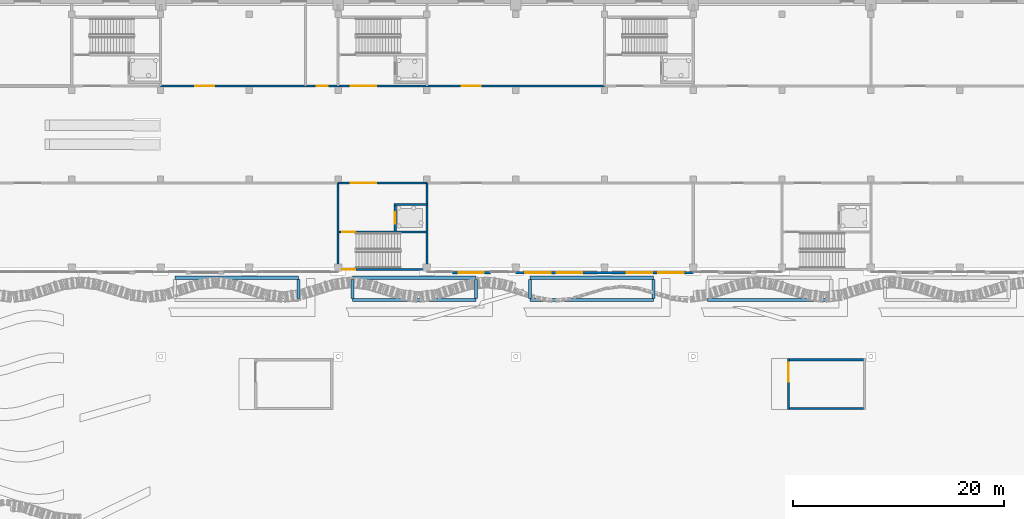
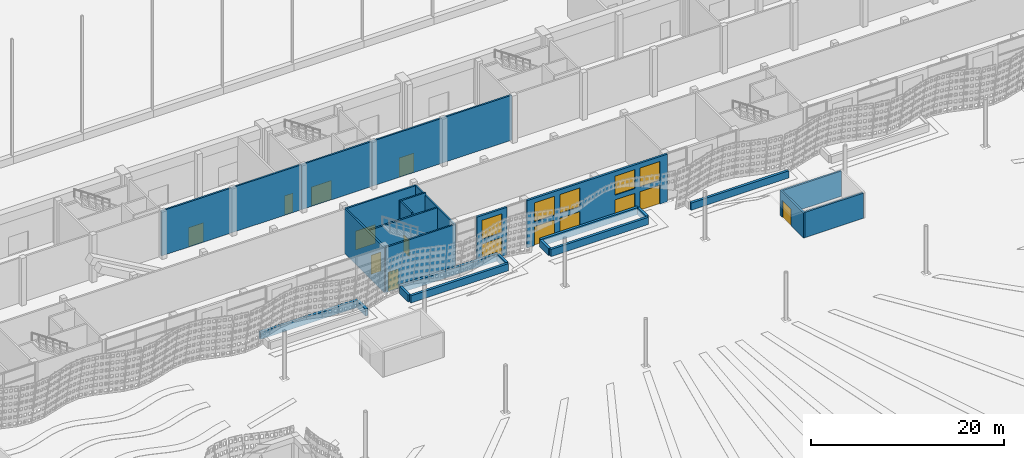
# One storey, part 105 of 210: 26 walls, 14 doors, 5 windows, 19 openings.
"""IFC4 building model written with IfcOpenShell, lengths in metres."""

from ifc_helpers import new_model, si_unit, direction, frame, frame_2d, origin, place, context, subcontext, project, spatial, rectangle, extrude, material, layer, layer_set, type_object, element, fill, save


model = new_model("IFC4")

# Units and contexts
model_context = context("Model", 3, precision=1e-05, world=origin(), true_north=direction((0.0, 1.0)))
body_context = subcontext(model_context, "Body", "Model", "MODEL_VIEW")
ifc_project = project(units=[si_unit("LENGTHUNIT", "METRE"), si_unit("AREAUNIT", "SQUARE_METRE"), si_unit("VOLUMEUNIT", "CUBIC_METRE"), si_unit("PLANEANGLEUNIT", "RADIAN"), si_unit("MASSUNIT", "GRAM", prefix="KILO")], contexts=[model_context])

# Site, building, storey
site_placement = place(None, origin())
site = spatial("IfcSite", under=ifc_project, at=site_placement, CompositionType="ELEMENT")
building_placement = place(site_placement, origin())
building = spatial("IfcBuilding", under=site, at=building_placement, Name="Rain Tree Exposition and Congress Centre", CompositionType="ELEMENT")
storey_placement = place(building_placement, origin())
storey = spatial("IfcBuildingStorey", under=building, at=storey_placement, Name="L00", CompositionType="ELEMENT", Elevation=0.0)

# Wall, openings, doors
ifc_material_1 = material(Name="Hollow blockwork partition", Category="masonry")
ifc_layer_1 = layer(ifc_material_1, 0.199951171875)
ifc_layer_set_1 = layer_set([ifc_layer_1], Name="Hollow blockwork partition")
wall_type_1 = type_object("IfcWallType", Name="Concourse blockwork partition 200", PredefinedType="PARTITIONING", material=ifc_layer_set_1)
wall_1_placement = place(storey_placement, frame((58.800048828125, 92.800048828125, 0.0), z_axis=(0.0, 0.0, 1.0), x_axis=(1.0, 0.0, 0.0)))
wall_1 = element("IfcWall", 1, at=wall_1_placement, inside=storey, type_object=wall_type_1, Name="Concourse room front L00", PredefinedType="PARTITIONING", context=body_context, shape_type="SweptSolid", body=[
    extrude(rectangle(XDim=16.800048828125, YDim=0.199951171875, at=frame_2d((8.39990234375, 0.0))), origin(), (0.0, 0.0, 1.0), 5.699951171875),
])
opening_1_placement = place(wall_1_placement, frame((3.300048828125, 0.0, 0.0)))
opening_1 = element("IfcOpeningElement", 2, at=opening_1_placement, cuts=wall_1, Name="Opening DC059", PredefinedType="OPENING", context=body_context, shape_type="SweptSolid", body=[
    extrude(rectangle(XDim=1.800048828125, YDim=2.39990234375, at=frame_2d((0.89990234375, 1.199951171875))), frame((0.0, 0.10009765625, 0.0), z_axis=(0.0, -1.0, 0.0), x_axis=(1.0, 0.0, 0.0)), (0.0, 0.0, 1.0), 0.199951171875),
])
opening_2_placement = place(wall_1_placement, frame((14.800048828125, 0.0, 0.0)))
opening_2 = element("IfcOpeningElement", 3, at=opening_2_placement, cuts=wall_1, Name="Opening DC060", PredefinedType="OPENING", context=body_context, shape_type="SweptSolid", body=[
    extrude(rectangle(XDim=1.0, YDim=2.39990234375, at=frame_2d((0.5, 1.199951171875))), frame((0.0, 0.10009765625, 0.0), z_axis=(0.0, -1.0, 0.0), x_axis=(1.0, 0.0, 0.0)), (0.0, 0.0, 1.0), 0.199951171875),
])
ifc_material_2 = material(Name="Aluminium framed glazed door", Category="aluminium")
door_type_1 = type_object("IfcDoorType", Name="Concourse double door 1800x2400", OperationType="DOUBLE_DOOR_DOUBLE_SWING", PredefinedType="DOOR", material=ifc_material_2)
door_1_placement = place(opening_1_placement, origin())
door_1 = element("IfcDoor", 4, at=door_1_placement, inside=storey, type_object=door_type_1, Name="Room door DC059", OperationType="DOUBLE_DOOR_DOUBLE_SWING", OverallHeight=2.39990234375, OverallWidth=1.800048828125, PredefinedType="DOOR", context=body_context, shape_type="SweptSolid", body=[
    extrude(rectangle(XDim=1.800048828125, YDim=2.39990234375, at=frame_2d((0.89990234375, 1.199951171875))), frame((0.0, 0.02490234375, 0.0), z_axis=(0.0, -1.0, 0.0), x_axis=(1.0, 0.0, 0.0)), (0.0, 0.0, 1.0), 0.050048828125),
])
fill(opening_1, door_1)
ifc_material_3 = material(Name="Aluminium framed glazed door", Category="aluminium")
door_type_2 = type_object("IfcDoorType", Name="Concourse single door 1000x2400", OperationType="NOTDEFINED", PredefinedType="DOOR", material=ifc_material_3)
door_2_placement = place(opening_2_placement, origin())
door_2 = element("IfcDoor", 5, at=door_2_placement, inside=storey, type_object=door_type_2, Name="Accessible WC door DC060", OperationType="SINGLE_SWING_RIGHT", OverallHeight=2.39990234375, OverallWidth=1.0, PredefinedType="DOOR", context=body_context, shape_type="SweptSolid", body=[
    extrude(rectangle(XDim=1.0, YDim=2.39990234375, at=frame_2d((0.5, 1.199951171875))), frame((0.0, 0.02490234375, 0.0), z_axis=(0.0, -1.0, 0.0), x_axis=(1.0, 0.0, 0.0)), (0.0, 0.0, 1.0), 0.050048828125),
])
fill(opening_2, door_2)

# Wall, opening, door
wall_2_placement = place(storey_placement, frame((84.0, 92.800048828125, 0.0), z_axis=(0.0, 0.0, 1.0), x_axis=(1.0, 0.0, 0.0)))
wall_2 = element("IfcWall", 6, at=wall_2_placement, inside=storey, type_object=wall_type_1, Name="Concourse room front L00", PredefinedType="PARTITIONING", context=body_context, shape_type="SweptSolid", body=[
    extrude(rectangle(XDim=16.800048828125, YDim=0.199951171875, at=frame_2d((8.39990234375, 0.0))), origin(), (0.0, 0.0, 1.0), 5.699951171875),
])
opening_3_placement = place(wall_2_placement, frame((3.300048828125, 0.0, 0.0)))
opening_3 = element("IfcOpeningElement", 7, at=opening_3_placement, cuts=wall_2, Name="Opening DC061", PredefinedType="OPENING", context=body_context, shape_type="SweptSolid", body=[
    extrude(rectangle(XDim=1.800048828125, YDim=2.39990234375, at=frame_2d((0.89990234375, 1.199951171875))), frame((0.0, 0.10009765625, 0.0), z_axis=(0.0, -1.0, 0.0), x_axis=(1.0, 0.0, 0.0)), (0.0, 0.0, 1.0), 0.199951171875),
])
door_3_placement = place(opening_3_placement, origin())
door_3 = element("IfcDoor", 8, at=door_3_placement, inside=storey, type_object=door_type_1, Name="Room door DC061", OperationType="DOUBLE_DOOR_DOUBLE_SWING", OverallHeight=2.39990234375, OverallWidth=1.800048828125, PredefinedType="DOOR", context=body_context, shape_type="SweptSolid", body=[
    extrude(rectangle(XDim=1.800048828125, YDim=2.39990234375, at=frame_2d((0.89990234375, 1.199951171875))), frame((0.0, 0.02490234375, 0.0), z_axis=(0.0, -1.0, 0.0), x_axis=(1.0, 0.0, 0.0)), (0.0, 0.0, 1.0), 0.050048828125),
])
fill(opening_3, door_3)

# Wall, openings, door, window
ifc_material_4 = material(Name="Concrete C40/50", Category="concrete")
ifc_layer_2 = layer(ifc_material_4, 0.25)
ifc_layer_set_2 = layer_set([ifc_layer_2], Name="Concrete C40/50")
wall_type_2 = type_object("IfcWallType", Name="Concourse entrance infill wall 250", PredefinedType="SOLIDWALL", material=ifc_layer_set_2)
wall_3_placement = place(storey_placement, frame((86.39990234375, 75.125, 0.0), z_axis=(0.0, 0.0, 1.0), x_axis=(1.0, 0.0, 0.0)))
wall_3 = element("IfcWall", 9, at=wall_3_placement, inside=storey, type_object=wall_type_2, Name="Concourse entrance infill wall", PredefinedType="SOLIDWALL", context=body_context, shape_type="SweptSolid", body=[
    extrude(rectangle(XDim=3.60009765625, YDim=0.25, at=frame_2d((1.800048828125, 0.0))), origin(), (0.0, 0.0, 1.0), 6.0),
])
opening_4_placement = place(wall_3_placement, frame((0.60009765625, 0.0, 0.0)))
opening_4 = element("IfcOpeningElement", 10, at=opening_4_placement, cuts=wall_3, Name="Opening DC004", PredefinedType="OPENING", context=body_context, shape_type="SweptSolid", body=[
    extrude(rectangle(XDim=2.39990234375, YDim=2.39990234375, at=frame_2d((1.199951171875, 1.199951171875))), frame((0.0, 0.125, 0.0), z_axis=(0.0, -1.0, 0.0), x_axis=(1.0, 0.0, 0.0)), (0.0, 0.0, 1.0), 0.25),
])
opening_5_placement = place(wall_3_placement, frame((0.60009765625, 0.0, 3.0)))
opening_5 = element("IfcOpeningElement", 11, at=opening_5_placement, cuts=wall_3, Name="Opening WC864", PredefinedType="OPENING", context=body_context, shape_type="SweptSolid", body=[
    extrude(rectangle(XDim=2.39990234375, YDim=2.39990234375, at=frame_2d((1.199951171875, 1.199951171875))), frame((0.0, 0.125, 0.0), z_axis=(0.0, -1.0, 0.0), x_axis=(1.0, 0.0, 0.0)), (0.0, 0.0, 1.0), 0.25),
])
ifc_material_5 = material(Name="Aluminium framed glazed door", Category="aluminium")
door_type_3 = type_object("IfcDoorType", Name="Concourse double door 2400x2400", OperationType="DOUBLE_DOOR_DOUBLE_SWING", PredefinedType="DOOR", material=ifc_material_5)
door_4_placement = place(opening_4_placement, origin())
door_4 = element("IfcDoor", 12, at=door_4_placement, inside=storey, type_object=door_type_3, Name="Room entrance door DC004", OperationType="DOUBLE_DOOR_DOUBLE_SWING", OverallHeight=2.39990234375, OverallWidth=2.39990234375, PredefinedType="DOOR", context=body_context, shape_type="SweptSolid", body=[
    extrude(rectangle(XDim=2.39990234375, YDim=2.39990234375, at=frame_2d((1.199951171875, 1.199951171875))), frame((0.0, 0.02490234375, 0.0), z_axis=(0.0, -1.0, 0.0), x_axis=(1.0, 0.0, 0.0)), (0.0, 0.0, 1.0), 0.050048828125),
])
fill(opening_4, door_4)
ifc_material_6 = material(Name="Aluminium framed glazing", Category="aluminium")
window_type = type_object("IfcWindowType", Name="Concourse fixed window 2400x2400", PartitioningType="SINGLE_PANEL", PredefinedType="WINDOW", material=ifc_material_6)
window_1_placement = place(opening_5_placement, origin())
window_1 = element("IfcWindow", 13, at=window_1_placement, inside=storey, type_object=window_type, Name="Entrance transom window", OverallHeight=2.39990234375, OverallWidth=2.39990234375, PartitioningType="SINGLE_PANEL", PredefinedType="WINDOW", context=body_context, shape_type="SweptSolid", body=[
    extrude(rectangle(XDim=2.39990234375, YDim=2.39990234375, at=frame_2d((1.199951171875, 1.199951171875))), frame((0.0, 0.030029296875, 0.0), z_axis=(0.0, -1.0, 0.0), x_axis=(1.0, 0.0, 0.0)), (0.0, 0.0, 1.0), 0.06005859375),
])
fill(opening_5, window_1)

# Wall, openings, doors, windows
wall_4_placement = place(storey_placement, frame((92.39990234375, 75.125, 0.0), z_axis=(0.0, 0.0, 1.0), x_axis=(1.0, 0.0, 0.0)))
wall_4 = element("IfcWall", 14, at=wall_4_placement, inside=storey, type_object=wall_type_2, Name="Concourse entrance wall", PredefinedType="SOLIDWALL", context=body_context, shape_type="SweptSolid", body=[
    extrude(rectangle(XDim=16.800048828125, YDim=0.25, at=frame_2d((8.39990234375, 0.0))), origin(), (0.0, 0.0, 1.0), 6.0),
])
opening_6_placement = place(wall_4_placement, frame((0.89990234375, 0.0, 0.0)))
opening_6 = element("IfcOpeningElement", 15, at=opening_6_placement, cuts=wall_4, Name="Opening DC016", PredefinedType="OPENING", context=body_context, shape_type="SweptSolid", body=[
    extrude(rectangle(XDim=2.39990234375, YDim=2.39990234375, at=frame_2d((1.199951171875, 1.199951171875))), frame((0.0, 0.125, 0.0), z_axis=(0.0, -1.0, 0.0), x_axis=(1.0, 0.0, 0.0)), (0.0, 0.0, 1.0), 0.25),
])
opening_7_placement = place(wall_4_placement, frame((0.89990234375, 0.0, 3.0)))
opening_7 = element("IfcOpeningElement", 16, at=opening_7_placement, cuts=wall_4, Name="Opening WC009", PredefinedType="OPENING", context=body_context, shape_type="SweptSolid", body=[
    extrude(rectangle(XDim=2.39990234375, YDim=2.39990234375, at=frame_2d((1.199951171875, 1.199951171875))), frame((0.0, 0.125, 0.0), z_axis=(0.0, -1.0, 0.0), x_axis=(1.0, 0.0, 0.0)), (0.0, 0.0, 1.0), 0.25),
])
opening_8_placement = place(wall_4_placement, frame((3.89990234375, 0.0, 0.0)))
opening_8 = element("IfcOpeningElement", 17, at=opening_8_placement, cuts=wall_4, Name="Opening DC017", PredefinedType="OPENING", context=body_context, shape_type="SweptSolid", body=[
    extrude(rectangle(XDim=2.39990234375, YDim=2.39990234375, at=frame_2d((1.199951171875, 1.199951171875))), frame((0.0, 0.125, 0.0), z_axis=(0.0, -1.0, 0.0), x_axis=(1.0, 0.0, 0.0)), (0.0, 0.0, 1.0), 0.25),
])
opening_9_placement = place(wall_4_placement, frame((3.89990234375, 0.0, 3.0)))
opening_9 = element("IfcOpeningElement", 18, at=opening_9_placement, cuts=wall_4, Name="Opening WC039", PredefinedType="OPENING", context=body_context, shape_type="SweptSolid", body=[
    extrude(rectangle(XDim=2.39990234375, YDim=2.39990234375, at=frame_2d((1.199951171875, 1.199951171875))), frame((0.0, 0.125, 0.0), z_axis=(0.0, -1.0, 0.0), x_axis=(1.0, 0.0, 0.0)), (0.0, 0.0, 1.0), 0.25),
])
opening_10_placement = place(wall_4_placement, frame((10.5, 0.0, 0.0)))
opening_10 = element("IfcOpeningElement", 19, at=opening_10_placement, cuts=wall_4, Name="Opening DC018", PredefinedType="OPENING", context=body_context, shape_type="SweptSolid", body=[
    extrude(rectangle(XDim=2.39990234375, YDim=2.39990234375, at=frame_2d((1.199951171875, 1.199951171875))), frame((0.0, 0.125, 0.0), z_axis=(0.0, -1.0, 0.0), x_axis=(1.0, 0.0, 0.0)), (0.0, 0.0, 1.0), 0.25),
])
opening_11_placement = place(wall_4_placement, frame((10.5, 0.0, 3.0)))
opening_11 = element("IfcOpeningElement", 20, at=opening_11_placement, cuts=wall_4, Name="Opening WC105", PredefinedType="OPENING", context=body_context, shape_type="SweptSolid", body=[
    extrude(rectangle(XDim=2.39990234375, YDim=2.39990234375, at=frame_2d((1.199951171875, 1.199951171875))), frame((0.0, 0.125, 0.0), z_axis=(0.0, -1.0, 0.0), x_axis=(1.0, 0.0, 0.0)), (0.0, 0.0, 1.0), 0.25),
])
opening_12_placement = place(wall_4_placement, frame((13.5, 0.0, 0.0)))
opening_12 = element("IfcOpeningElement", 21, at=opening_12_placement, cuts=wall_4, Name="Opening DC019", PredefinedType="OPENING", context=body_context, shape_type="SweptSolid", body=[
    extrude(rectangle(XDim=2.39990234375, YDim=2.39990234375, at=frame_2d((1.199951171875, 1.199951171875))), frame((0.0, 0.125, 0.0), z_axis=(0.0, -1.0, 0.0), x_axis=(1.0, 0.0, 0.0)), (0.0, 0.0, 1.0), 0.25),
])
opening_13_placement = place(wall_4_placement, frame((13.5, 0.0, 3.0)))
opening_13 = element("IfcOpeningElement", 22, at=opening_13_placement, cuts=wall_4, Name="Opening WC135", PredefinedType="OPENING", context=body_context, shape_type="SweptSolid", body=[
    extrude(rectangle(XDim=2.39990234375, YDim=2.39990234375, at=frame_2d((1.199951171875, 1.199951171875))), frame((0.0, 0.125, 0.0), z_axis=(0.0, -1.0, 0.0), x_axis=(1.0, 0.0, 0.0)), (0.0, 0.0, 1.0), 0.25),
])
door_5_placement = place(opening_6_placement, origin())
door_5 = element("IfcDoor", 23, at=door_5_placement, inside=storey, type_object=door_type_3, Name="Main entrance door DC016", OperationType="DOUBLE_DOOR_DOUBLE_SWING", OverallHeight=2.39990234375, OverallWidth=2.39990234375, PredefinedType="DOOR", context=body_context, shape_type="SweptSolid", body=[
    extrude(rectangle(XDim=2.39990234375, YDim=2.39990234375, at=frame_2d((1.199951171875, 1.199951171875))), frame((0.0, 0.02490234375, 0.0), z_axis=(0.0, -1.0, 0.0), x_axis=(1.0, 0.0, 0.0)), (0.0, 0.0, 1.0), 0.050048828125),
])
fill(opening_6, door_5)
door_6_placement = place(opening_8_placement, origin())
door_6 = element("IfcDoor", 24, at=door_6_placement, inside=storey, type_object=door_type_3, Name="Main entrance door DC017", OperationType="DOUBLE_DOOR_DOUBLE_SWING", OverallHeight=2.39990234375, OverallWidth=2.39990234375, PredefinedType="DOOR", context=body_context, shape_type="SweptSolid", body=[
    extrude(rectangle(XDim=2.39990234375, YDim=2.39990234375, at=frame_2d((1.199951171875, 1.199951171875))), frame((0.0, 0.02490234375, 0.0), z_axis=(0.0, -1.0, 0.0), x_axis=(1.0, 0.0, 0.0)), (0.0, 0.0, 1.0), 0.050048828125),
])
fill(opening_8, door_6)
door_7_placement = place(opening_10_placement, origin())
door_7 = element("IfcDoor", 25, at=door_7_placement, inside=storey, type_object=door_type_3, Name="Main entrance door DC018", OperationType="DOUBLE_DOOR_DOUBLE_SWING", OverallHeight=2.39990234375, OverallWidth=2.39990234375, PredefinedType="DOOR", context=body_context, shape_type="SweptSolid", body=[
    extrude(rectangle(XDim=2.39990234375, YDim=2.39990234375, at=frame_2d((1.199951171875, 1.199951171875))), frame((0.0, 0.02490234375, 0.0), z_axis=(0.0, -1.0, 0.0), x_axis=(1.0, 0.0, 0.0)), (0.0, 0.0, 1.0), 0.050048828125),
])
fill(opening_10, door_7)
door_8_placement = place(opening_12_placement, origin())
door_8 = element("IfcDoor", 26, at=door_8_placement, inside=storey, type_object=door_type_3, Name="Main entrance door DC019", OperationType="DOUBLE_DOOR_DOUBLE_SWING", OverallHeight=2.39990234375, OverallWidth=2.39990234375, PredefinedType="DOOR", context=body_context, shape_type="SweptSolid", body=[
    extrude(rectangle(XDim=2.39990234375, YDim=2.39990234375, at=frame_2d((1.199951171875, 1.199951171875))), frame((0.0, 0.02490234375, 0.0), z_axis=(0.0, -1.0, 0.0), x_axis=(1.0, 0.0, 0.0)), (0.0, 0.0, 1.0), 0.050048828125),
])
fill(opening_12, door_8)
window_2_placement = place(opening_7_placement, origin())
window_2 = element("IfcWindow", 27, at=window_2_placement, inside=storey, type_object=window_type, Name="Entrance transom window", OverallHeight=2.39990234375, OverallWidth=2.39990234375, PartitioningType="SINGLE_PANEL", PredefinedType="WINDOW", context=body_context, shape_type="SweptSolid", body=[
    extrude(rectangle(XDim=2.39990234375, YDim=2.39990234375, at=frame_2d((1.199951171875, 1.199951171875))), frame((0.0, 0.030029296875, 0.0), z_axis=(0.0, -1.0, 0.0), x_axis=(1.0, 0.0, 0.0)), (0.0, 0.0, 1.0), 0.06005859375),
])
fill(opening_7, window_2)
window_3_placement = place(opening_9_placement, origin())
window_3 = element("IfcWindow", 28, at=window_3_placement, inside=storey, type_object=window_type, Name="Entrance transom window", OverallHeight=2.39990234375, OverallWidth=2.39990234375, PartitioningType="SINGLE_PANEL", PredefinedType="WINDOW", context=body_context, shape_type="SweptSolid", body=[
    extrude(rectangle(XDim=2.39990234375, YDim=2.39990234375, at=frame_2d((1.199951171875, 1.199951171875))), frame((0.0, 0.030029296875, 0.0), z_axis=(0.0, -1.0, 0.0), x_axis=(1.0, 0.0, 0.0)), (0.0, 0.0, 1.0), 0.06005859375),
])
fill(opening_9, window_3)
window_4_placement = place(opening_11_placement, origin())
window_4 = element("IfcWindow", 29, at=window_4_placement, inside=storey, type_object=window_type, Name="Entrance transom window", OverallHeight=2.39990234375, OverallWidth=2.39990234375, PartitioningType="SINGLE_PANEL", PredefinedType="WINDOW", context=body_context, shape_type="SweptSolid", body=[
    extrude(rectangle(XDim=2.39990234375, YDim=2.39990234375, at=frame_2d((1.199951171875, 1.199951171875))), frame((0.0, 0.030029296875, 0.0), z_axis=(0.0, -1.0, 0.0), x_axis=(1.0, 0.0, 0.0)), (0.0, 0.0, 1.0), 0.06005859375),
])
fill(opening_11, window_4)
window_5_placement = place(opening_13_placement, origin())
window_5 = element("IfcWindow", 30, at=window_5_placement, inside=storey, type_object=window_type, Name="Entrance transom window", OverallHeight=2.39990234375, OverallWidth=2.39990234375, PartitioningType="SINGLE_PANEL", PredefinedType="WINDOW", context=body_context, shape_type="SweptSolid", body=[
    extrude(rectangle(XDim=2.39990234375, YDim=2.39990234375, at=frame_2d((1.199951171875, 1.199951171875))), frame((0.0, 0.030029296875, 0.0), z_axis=(0.0, -1.0, 0.0), x_axis=(1.0, 0.0, 0.0)), (0.0, 0.0, 1.0), 0.06005859375),
])
fill(opening_13, window_5)

# Walls
ifc_material_7 = material(Name="Concrete C40/50", Category="concrete")
ifc_layer_3 = layer(ifc_material_7, 0.199951171875)
ifc_layer_set_3 = layer_set([ifc_layer_3], Name="Concrete C40/50")
wall_type_3 = type_object("IfcWallType", Name="Concourse shaft and core wall 200", PredefinedType="SOLIDWALL", material=ifc_layer_set_3)
for number, where, z_axis, x_axis, name in (
    (31, (75.60009765625, 75.39990234375, 0.0), (0.0, 0.0, 1.0), (0.0, 1.0, 0.0), "Concourse core wall L00"),
    (32, (84.0, 75.39990234375, 0.0), (0.0, 0.0, 1.0), (0.0, 1.0, 0.0), "Concourse core wall L00"),
):
    element("IfcWall", number, at=place(storey_placement, frame(where, z_axis=z_axis, x_axis=x_axis)), inside=storey, type_object=wall_type_3, Name=name, PredefinedType="SOLIDWALL", context=body_context, shape_type="SweptSolid", body=[
        extrude(rectangle(XDim=8.2001953125, YDim=0.199951171875, at=frame_2d((4.10009765625, 0.0))), origin(), (0.0, 0.0, 1.0), 5.699951171875),
    ])

# Wall, opening, door
wall_5_placement = place(storey_placement, frame((75.60009765625, 83.60009765625, 0.0), z_axis=(0.0, 0.0, 1.0), x_axis=(1.0, 0.0, 0.0)))
wall_5 = element("IfcWall", 33, at=wall_5_placement, inside=storey, type_object=wall_type_3, Name="Concourse lobby front L00", PredefinedType="SOLIDWALL", context=body_context, shape_type="SweptSolid", body=[
    extrude(rectangle(XDim=8.39990234375, YDim=0.199951171875, at=frame_2d((4.199951171875, 0.0))), origin(), (0.0, 0.0, 1.0), 5.699951171875),
])
opening_14_placement = place(wall_5_placement, frame((1.199951171875, 0.0, 0.0)))
opening_14 = element("IfcOpeningElement", 34, at=opening_14_placement, cuts=wall_5, Name="Opening DC033", PredefinedType="OPENING", context=body_context, shape_type="SweptSolid", body=[
    extrude(rectangle(XDim=2.39990234375, YDim=2.39990234375, at=frame_2d((1.199951171875, 1.199951171875))), frame((0.0, 0.10009765625, 0.0), z_axis=(0.0, -1.0, 0.0), x_axis=(1.0, 0.0, 0.0)), (0.0, 0.0, 1.0), 0.199951171875),
])
door_9_placement = place(opening_14_placement, origin())
door_9 = element("IfcDoor", 35, at=door_9_placement, inside=storey, type_object=door_type_3, Name="Lobby exit door DC033", OperationType="DOUBLE_DOOR_DOUBLE_SWING", OverallHeight=2.39990234375, OverallWidth=2.39990234375, PredefinedType="DOOR", context=body_context, shape_type="SweptSolid", body=[
    extrude(rectangle(XDim=2.39990234375, YDim=2.39990234375, at=frame_2d((1.199951171875, 1.199951171875))), frame((0.0, 0.02490234375, 0.0), z_axis=(0.0, -1.0, 0.0), x_axis=(1.0, 0.0, 0.0)), (0.0, 0.0, 1.0), 0.050048828125),
])
fill(opening_14, door_9)

wall_6_placement = place(storey_placement, frame((75.60009765625, 92.800048828125, 0.0), z_axis=(0.0, 0.0, 1.0), x_axis=(1.0, 0.0, 0.0)))
wall_6 = element("IfcWall", 36, at=wall_6_placement, inside=storey, type_object=wall_type_3, Name="Concourse lobby front L00", PredefinedType="SOLIDWALL", context=body_context, shape_type="SweptSolid", body=[
    extrude(rectangle(XDim=8.39990234375, YDim=0.199951171875, at=frame_2d((4.199951171875, 0.0))), origin(), (0.0, 0.0, 1.0), 5.699951171875),
])
opening_15_placement = place(wall_6_placement, frame((1.199951171875, 0.0, 0.0)))
opening_15 = element("IfcOpeningElement", 37, at=opening_15_placement, cuts=wall_6, Name="Opening DC071", PredefinedType="OPENING", context=body_context, shape_type="SweptSolid", body=[
    extrude(rectangle(XDim=2.39990234375, YDim=2.39990234375, at=frame_2d((1.199951171875, 1.199951171875))), frame((0.0, 0.10009765625, 0.0), z_axis=(0.0, -1.0, 0.0), x_axis=(1.0, 0.0, 0.0)), (0.0, 0.0, 1.0), 0.199951171875),
])
door_10_placement = place(opening_15_placement, origin())
door_10 = element("IfcDoor", 38, at=door_10_placement, inside=storey, type_object=door_type_3, Name="Lobby exit door DC071", OperationType="DOUBLE_DOOR_DOUBLE_SWING", OverallHeight=2.39990234375, OverallWidth=2.39990234375, PredefinedType="DOOR", context=body_context, shape_type="SweptSolid", body=[
    extrude(rectangle(XDim=2.39990234375, YDim=2.39990234375, at=frame_2d((1.199951171875, 1.199951171875))), frame((0.0, 0.02490234375, 0.0), z_axis=(0.0, -1.0, 0.0), x_axis=(1.0, 0.0, 0.0)), (0.0, 0.0, 1.0), 0.050048828125),
])
fill(opening_15, door_10)

wall_7_placement = place(storey_placement, frame((75.60009765625, 75.449951171875, 0.0), z_axis=(0.0, 0.0, 1.0), x_axis=(1.0, 0.0, 0.0)))
wall_7 = element("IfcWall", 39, at=wall_7_placement, inside=storey, type_object=wall_type_3, Name="Concourse stair wall L00", PredefinedType="SOLIDWALL", context=body_context, shape_type="SweptSolid", body=[
    extrude(rectangle(XDim=8.39990234375, YDim=0.199951171875, at=frame_2d((4.199951171875, 0.0))), origin(), (0.0, 0.0, 1.0), 5.699951171875),
])
opening_16_placement = place(wall_7_placement, frame((0.39990234375, 0.0, 0.0)))
opening_16 = element("IfcOpeningElement", 40, at=opening_16_placement, cuts=wall_7, Name="Opening DC097", PredefinedType="OPENING", context=body_context, shape_type="SweptSolid", body=[
    extrude(rectangle(XDim=1.199951171875, YDim=2.39990234375, at=frame_2d((0.60009765625, 1.199951171875))), frame((0.0, 0.10009765625, 0.0), z_axis=(0.0, -1.0, 0.0), x_axis=(1.0, 0.0, 0.0)), (0.0, 0.0, 1.0), 0.199951171875),
])
ifc_material_8 = material(Name="Aluminium framed glazed door", Category="aluminium")
door_type_4 = type_object("IfcDoorType", Name="Concourse single door 1200x2400", OperationType="NOTDEFINED", PredefinedType="DOOR", material=ifc_material_8)
door_11_placement = place(opening_16_placement, frame((1.199951171875, 0.0, 0.0), z_axis=(0.0, 0.0, 1.0), x_axis=(-1.0, 0.0, 0.0)))
door_11 = element("IfcDoor", 41, at=door_11_placement, inside=storey, type_object=door_type_4, Name="Stair exit door DC097", OperationType="SINGLE_SWING_RIGHT", OverallHeight=2.39990234375, OverallWidth=1.199951171875, PredefinedType="DOOR", context=body_context, shape_type="SweptSolid", body=[
    extrude(rectangle(XDim=1.199951171875, YDim=2.39990234375, at=frame_2d((0.60009765625, 1.199951171875))), frame((0.0, 0.02490234375, 0.0), z_axis=(0.0, -1.0, 0.0), x_axis=(1.0, 0.0, 0.0)), (0.0, 0.0, 1.0), 0.050048828125),
])
fill(opening_16, door_11)

wall_8_placement = place(storey_placement, frame((75.60009765625, 79.0, 0.0), z_axis=(0.0, 0.0, 1.0), x_axis=(1.0, 0.0, 0.0)))
wall_8 = element("IfcWall", 42, at=wall_8_placement, inside=storey, type_object=wall_type_3, Name="Concourse stair wall L00", PredefinedType="SOLIDWALL", context=body_context, shape_type="SweptSolid", body=[
    extrude(rectangle(XDim=8.39990234375, YDim=0.199951171875, at=frame_2d((4.199951171875, 0.0))), origin(), (0.0, 0.0, 1.0), 5.699951171875),
])
opening_17_placement = place(wall_8_placement, frame((0.39990234375, 0.0, 0.0)))
opening_17 = element("IfcOpeningElement", 43, at=opening_17_placement, cuts=wall_8, Name="Opening DC098", PredefinedType="OPENING", context=body_context, shape_type="SweptSolid", body=[
    extrude(rectangle(XDim=1.199951171875, YDim=2.39990234375, at=frame_2d((0.60009765625, 1.199951171875))), frame((0.0, 0.10009765625, 0.0), z_axis=(0.0, -1.0, 0.0), x_axis=(1.0, 0.0, 0.0)), (0.0, 0.0, 1.0), 0.199951171875),
])
door_12_placement = place(opening_17_placement, origin())
door_12 = element("IfcDoor", 44, at=door_12_placement, inside=storey, type_object=door_type_4, Name="Stair door DC098", OperationType="SINGLE_SWING_LEFT", OverallHeight=2.39990234375, OverallWidth=1.199951171875, PredefinedType="DOOR", context=body_context, shape_type="SweptSolid", body=[
    extrude(rectangle(XDim=1.199951171875, YDim=2.39990234375, at=frame_2d((0.60009765625, 1.199951171875))), frame((0.0, 0.02490234375, 0.0), z_axis=(0.0, -1.0, 0.0), x_axis=(1.0, 0.0, 0.0)), (0.0, 0.0, 1.0), 0.050048828125),
])
fill(opening_17, door_12)

wall_9_placement = place(storey_placement, frame((81.0, 79.10009765625, -1.39990234375), z_axis=(0.0, 0.0, 1.0), x_axis=(0.0, 1.0, 0.0)))
wall_9 = element("IfcWall", 45, at=wall_9_placement, inside=storey, type_object=wall_type_3, Name="Concourse lift shaft wall L00", PredefinedType="SOLIDWALL", context=body_context, shape_type="SweptSolid", body=[
    extrude(rectangle(XDim=2.599853515625, YDim=0.199951171875, at=frame_2d((1.2998046875, 0.0))), origin(), (0.0, 0.0, 1.0), 7.39990234375),
])
opening_18_placement = place(wall_9_placement, frame((0.64990234375, 0.0, 1.39990234375)))
opening_18 = element("IfcOpeningElement", 46, at=opening_18_placement, cuts=wall_9, Name="Opening DC100", PredefinedType="OPENING", context=body_context, shape_type="SweptSolid", body=[
    extrude(rectangle(XDim=1.10009765625, YDim=2.10009765625, at=frame_2d((0.550048828125, 1.050048828125))), frame((0.0, 0.10009765625, 0.0), z_axis=(0.0, -1.0, 0.0), x_axis=(1.0, 0.0, 0.0)), (0.0, 0.0, 1.0), 0.199951171875),
])
ifc_material_9 = material(Name="Stainless steel", Category="steel")
door_type_5 = type_object("IfcDoorType", Name="Lift landing door 1100x2100", OperationType="DOUBLE_DOOR_SLIDING", PredefinedType="DOOR", material=ifc_material_9)
door_13_placement = place(opening_18_placement, origin())
door_13 = element("IfcDoor", 47, at=door_13_placement, inside=storey, type_object=door_type_5, Name="Lift landing door DC100", OperationType="DOUBLE_DOOR_SLIDING", OverallHeight=2.10009765625, OverallWidth=1.10009765625, PredefinedType="DOOR", context=body_context, shape_type="SweptSolid", body=[
    extrude(rectangle(XDim=1.10009765625, YDim=2.10009765625, at=frame_2d((0.550048828125, 1.050048828125))), frame((0.0, 0.02490234375, 0.0), z_axis=(0.0, -1.0, 0.0), x_axis=(1.0, 0.0, 0.0)), (0.0, 0.0, 1.0), 0.050048828125),
])
fill(opening_18, door_13)

# Wall
wall_10_placement = place(storey_placement, frame((80.89990234375, 81.60009765625, -1.39990234375), z_axis=(0.0, 0.0, 1.0), x_axis=(1.0, 0.0, 0.0)))
element("IfcWall", 48, at=wall_10_placement, inside=storey, type_object=wall_type_3, Name="Concourse lift shaft wall L00", PredefinedType="SOLIDWALL", context=body_context, shape_type="SweptSolid", body=[
    extrude(rectangle(XDim=3.10009765625, YDim=0.199951171875, at=frame_2d((1.550048828125, 0.0))), origin(), (0.0, 0.0, 1.0), 7.39990234375),
])

# Wall, opening, door
ifc_material_10 = material(Name="Concrete C40/50", Category="concrete")
ifc_layer_4 = layer(ifc_material_10, 0.199951171875)
ifc_layer_set_4 = layer_set([ifc_layer_4], Name="Concrete C40/50")
wall_type_4 = type_object("IfcWallType", Name="Exit stair wall 200", PredefinedType="PARTITIONING", material=ifc_layer_set_4)
wall_11_placement = place(storey_placement, frame((118.199951171875, 62.199951171875, 0.0), z_axis=(0.0, 0.0, 1.0), x_axis=(0.0, 1.0, 0.0)))
wall_11 = element("IfcWall", 49, at=wall_11_placement, inside=storey, type_object=wall_type_4, Name="Exit stair E4 wall west", PredefinedType="SOLIDWALL", context=body_context, shape_type="SweptSolid", body=[
    extrude(rectangle(XDim=4.800048828125, YDim=0.199951171875, at=frame_2d((2.39990234375, 0.0))), origin(), (0.0, 0.0, 1.0), 3.199951171875),
])
opening_19_placement = place(wall_11_placement, frame((2.60009765625, 0.0, 0.0)))
opening_19 = element("IfcOpeningElement", 50, at=opening_19_placement, cuts=wall_11, Name="Opening DS136", PredefinedType="OPENING", context=body_context, shape_type="SweptSolid", body=[
    extrude(rectangle(XDim=1.800048828125, YDim=2.10009765625, at=frame_2d((0.89990234375, 1.050048828125))), frame((0.0, 0.10009765625, 0.0), z_axis=(0.0, -1.0, 0.0), x_axis=(1.0, 0.0, 0.0)), (0.0, 0.0, 1.0), 0.199951171875),
])
ifc_material_11 = material(Name="Powder-coated steel", Category="steel")
door_type_6 = type_object("IfcDoorType", Name="Exit stair deck door 1800x2100", OperationType="NOTDEFINED", PredefinedType="DOOR", material=ifc_material_11)
door_14_placement = place(opening_19_placement, origin())
door_14 = element("IfcDoor", 51, at=door_14_placement, inside=storey, type_object=door_type_6, Name="Exit stair E4 door L00", OperationType="SINGLE_SWING_LEFT", OverallHeight=2.10009765625, OverallWidth=1.800048828125, PredefinedType="DOOR", context=body_context, shape_type="SweptSolid", body=[
    extrude(rectangle(XDim=1.800048828125, YDim=2.10009765625, at=frame_2d((0.89990234375, 1.050048828125))), frame((0.0, 0.02490234375, 0.0), z_axis=(0.0, -1.0, 0.0), x_axis=(1.0, 0.0, 0.0)), (0.0, 0.0, 1.0), 0.050048828125),
])
fill(opening_19, door_14)

# Walls
for number, where, z_axis, x_axis, name in (
    (52, (118.300048828125, 62.300048828125, 0.0), (0.0, 0.0, 1.0), (1.0, 0.0, 0.0), "Exit stair E4 wall south"),
    (53, (118.300048828125, 66.89990234375, 0.0), (0.0, 0.0, 1.0), (1.0, 0.0, 0.0), "Exit stair E4 wall north"),
):
    element("IfcWall", number, at=place(storey_placement, frame(where, z_axis=z_axis, x_axis=x_axis)), inside=storey, type_object=wall_type_4, Name=name, PredefinedType="SOLIDWALL", context=body_context, shape_type="SweptSolid", body=[
        extrude(rectangle(XDim=7.0, YDim=0.199951171875, at=frame_2d((3.5, 0.0))), origin(), (0.0, 0.0, 1.0), 3.199951171875),
    ])
ifc_material_12 = material(Name="Concrete C40/50", Category="concrete")
ifc_layer_5 = layer(ifc_material_12, 0.300048828125)
ifc_layer_set_5 = layer_set([ifc_layer_5], Name="Concrete C40/50")
wall_type_5 = type_object("IfcWallType", Name="Precast planter wall 300", PredefinedType="SOLIDWALL", material=ifc_layer_set_5)
wall_12_placement = place(storey_placement, frame((60.14990234375, 74.64990234375, 0.0), z_axis=(0.0, 0.0, 1.0), x_axis=(1.0, 0.0, 0.0)))
element("IfcWall", 54, at=wall_12_placement, inside=storey, type_object=wall_type_5, Name="Forecourt planter wall", PredefinedType="SOLIDWALL", context=body_context, shape_type="SweptSolid", body=[
    extrude(rectangle(XDim=11.7001953125, YDim=0.300048828125, at=frame_2d((5.85009765625, 0.0))), origin(), (0.0, 0.0, 1.0), 0.89990234375),
])
wall_13_placement = place(storey_placement, frame((71.85009765625, 72.699951171875, 0.0), z_axis=(0.0, 0.0, 1.0), x_axis=(0.0, 1.0, 0.0)))
element("IfcWall", 55, at=wall_13_placement, inside=storey, type_object=wall_type_5, Name="Forecourt planter wall", PredefinedType="SOLIDWALL", context=body_context, shape_type="SweptSolid", body=[
    extrude(rectangle(XDim=1.800048828125, YDim=0.300048828125, at=frame_2d((0.89990234375, 0.0))), origin(), (0.0, 0.0, 1.0), 0.89990234375),
])
for number, where, z_axis, x_axis, name in (
    (56, (76.949951171875, 72.550048828125, 0.0), (0.0, 0.0, 1.0), (1.0, 0.0, 0.0), "Forecourt planter wall"),
    (57, (76.949951171875, 74.64990234375, 0.0), (0.0, 0.0, 1.0), (1.0, 0.0, 0.0), "Forecourt planter wall"),
):
    element("IfcWall", number, at=place(storey_placement, frame(where, z_axis=z_axis, x_axis=x_axis)), inside=storey, type_object=wall_type_5, Name=name, PredefinedType="SOLIDWALL", context=body_context, shape_type="SweptSolid", body=[
        extrude(rectangle(XDim=11.699951171875, YDim=0.300048828125, at=frame_2d((5.85009765625, 0.0))), origin(), (0.0, 0.0, 1.0), 0.89990234375),
    ])
for number, where, z_axis, x_axis, name in (
    (58, (76.949951171875, 72.699951171875, 0.0), (0.0, 0.0, 1.0), (0.0, 1.0, 0.0), "Forecourt planter wall"),
    (59, (88.64990234375, 72.699951171875, 0.0), (0.0, 0.0, 1.0), (0.0, 1.0, 0.0), "Forecourt planter wall"),
):
    element("IfcWall", number, at=place(storey_placement, frame(where, z_axis=z_axis, x_axis=x_axis)), inside=storey, type_object=wall_type_5, Name=name, PredefinedType="SOLIDWALL", context=body_context, shape_type="SweptSolid", body=[
        extrude(rectangle(XDim=1.800048828125, YDim=0.300048828125, at=frame_2d((0.89990234375, 0.0))), origin(), (0.0, 0.0, 1.0), 0.89990234375),
    ])
for number, where, z_axis, x_axis, name in (
    (60, (93.75, 72.550048828125, 0.0), (0.0, 0.0, 1.0), (1.0, 0.0, 0.0), "Forecourt planter wall"),
    (61, (93.75, 74.64990234375, 0.0), (0.0, 0.0, 1.0), (1.0, 0.0, 0.0), "Forecourt planter wall"),
):
    element("IfcWall", number, at=place(storey_placement, frame(where, z_axis=z_axis, x_axis=x_axis)), inside=storey, type_object=wall_type_5, Name=name, PredefinedType="SOLIDWALL", context=body_context, shape_type="SweptSolid", body=[
        extrude(rectangle(XDim=11.699951171875, YDim=0.300048828125, at=frame_2d((5.85009765625, 0.0))), origin(), (0.0, 0.0, 1.0), 0.89990234375),
    ])
for number, where, z_axis, x_axis, name in (
    (62, (93.75, 72.699951171875, 0.0), (0.0, 0.0, 1.0), (0.0, 1.0, 0.0), "Forecourt planter wall"),
    (63, (105.449951171875, 72.699951171875, 0.0), (0.0, 0.0, 1.0), (0.0, 1.0, 0.0), "Forecourt planter wall"),
):
    element("IfcWall", number, at=place(storey_placement, frame(where, z_axis=z_axis, x_axis=x_axis)), inside=storey, type_object=wall_type_5, Name=name, PredefinedType="SOLIDWALL", context=body_context, shape_type="SweptSolid", body=[
        extrude(rectangle(XDim=1.800048828125, YDim=0.300048828125, at=frame_2d((0.89990234375, 0.0))), origin(), (0.0, 0.0, 1.0), 0.89990234375),
    ])
wall_14_placement = place(storey_placement, frame((110.550048828125, 72.550048828125, 0.0), z_axis=(0.0, 0.0, 1.0), x_axis=(1.0, 0.0, 0.0)))
element("IfcWall", 64, at=wall_14_placement, inside=storey, type_object=wall_type_5, Name="Forecourt planter wall", PredefinedType="SOLIDWALL", context=body_context, shape_type="SweptSolid", body=[
    extrude(rectangle(XDim=11.699951171875, YDim=0.300048828125, at=frame_2d((5.85009765625, 0.0))), origin(), (0.0, 0.0, 1.0), 0.89990234375),
])

save(model, "model.ifc")
